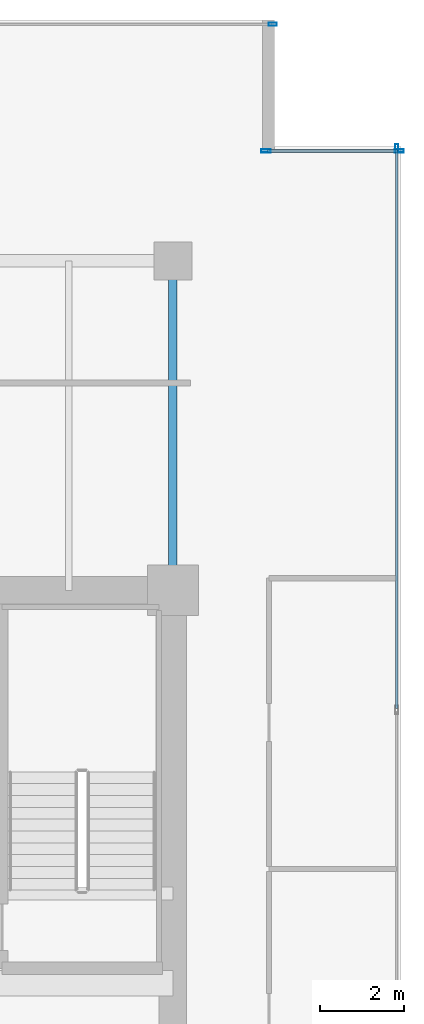
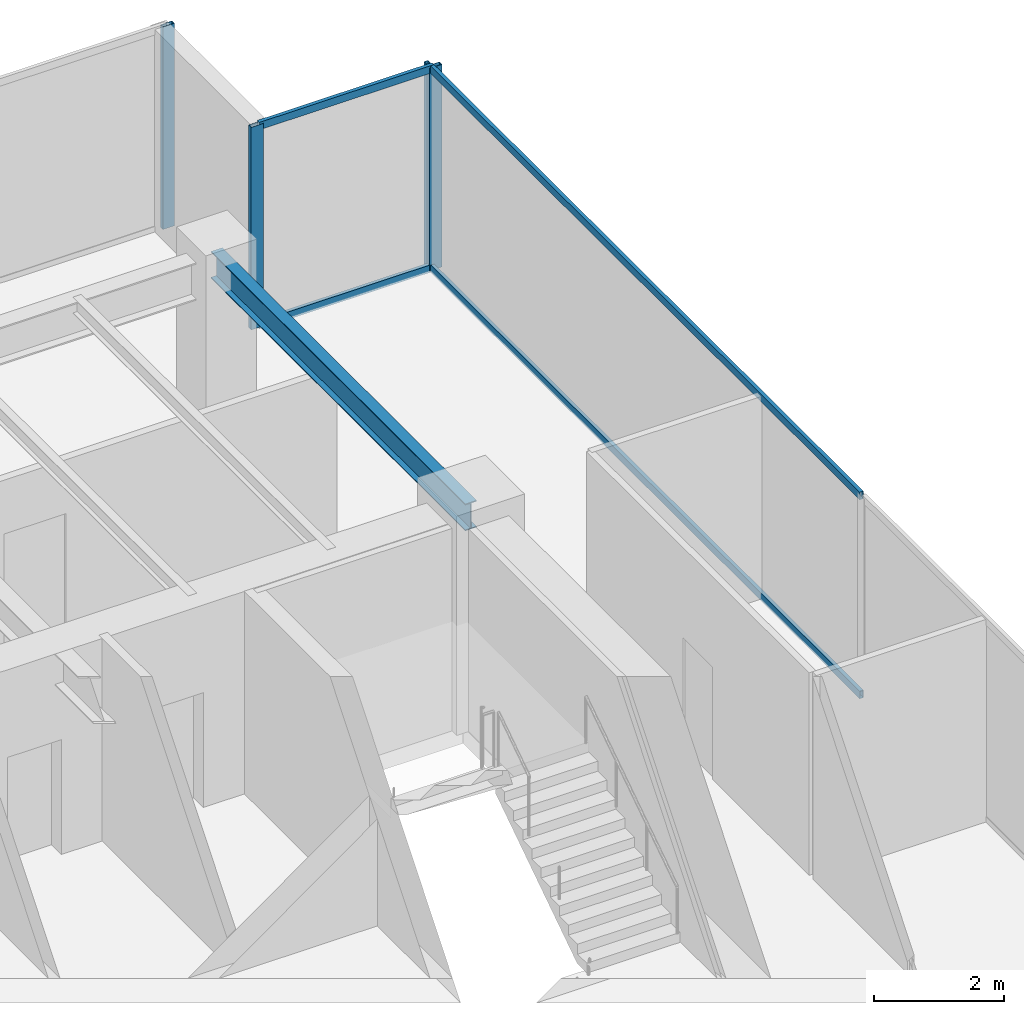
# One storey, part 23 of 30: 8 members, 1 beam, 3 elements without a shape of their own.
"""IFC4 building model written with IfcOpenShell, lengths in metres."""

from ifc_helpers import new_model, si_unit, direction, frame, origin, origin_2d, place, context, subcontext, project, spatial, hollow_rectangle, i_section, extrude, source, transform, mapped, material, layer, layer_set, material_profile, profile_set, type_object, type_shapes, element, aggregate, save


model = new_model("IFC4")

# Units and contexts
model_context = context("Model", 3, precision=1e-05, world=origin(), true_north=direction((0.0, 1.0)))
body_context = subcontext(model_context, "Body", "Model", "MODEL_VIEW")
ifc_project = project(units=[si_unit("LENGTHUNIT", "METRE"), si_unit("AREAUNIT", "SQUARE_METRE"), si_unit("VOLUMEUNIT", "CUBIC_METRE"), si_unit("PLANEANGLEUNIT", "RADIAN"), si_unit("MASSUNIT", "GRAM", prefix="KILO")], contexts=[model_context])

# Site, building, storey
site_placement = place(None, origin())
site = spatial("IfcSite", under=ifc_project, at=site_placement, CompositionType="ELEMENT")
building_placement = place(site_placement, origin())
building = spatial("IfcBuilding", under=site, at=building_placement, Name="Haelvirn Gate Laboratories", CompositionType="ELEMENT")
storey_placement = place(building_placement, frame((0.0, 0.0, 170.699951171875)))
storey = spatial("IfcBuildingStorey", under=building, at=storey_placement, Name="L41", CompositionType="ELEMENT", Elevation=170.699951171875)

# Beam
ifc_material_1 = material(Name="Steel SM355", Category="steel")
ifc_material_profile_1 = material_profile(ifc_material_1, i_section(OverallWidth=0.199951171875, OverallDepth=0.5, WebThickness=0.010009765625, FlangeThickness=0.01611328125, at=origin_2d()), Name="H-500x200x10x16")
ifc_profile_set_1 = profile_set([ifc_material_profile_1], Name="Steel SM355")
beam_type = type_object("IfcBeamType", Name="BM-SP-500", PredefinedType="SPANDREL", material=ifc_profile_set_1)
shared_shape_1 = source(origin(), body_context, "Body", "SweptSolid", [
    extrude(i_section(OverallWidth=0.199951171875, OverallDepth=0.5, WebThickness=0.010009765625, FlangeThickness=0.01611328125, at=origin_2d()), origin(), (0.0, 0.0, 1.0), 7.800048828125),
])
type_shapes(beam_type, [shared_shape_1])
beam_placement = place(storey_placement, frame((67.39990234375, 33.800048828125, 3.5400390625), z_axis=(0.0, 1.0, 0.0), x_axis=(-1.0, 0.0, 0.0)))
element("IfcBeam", 1, at=beam_placement, inside=storey, type_object=beam_type, Name="L41 Perimeter Spandrel X67.4 (33.8-41.6)", PredefinedType="SPANDREL", context=body_context, shape_type="MappedRepresentation", body=[
    mapped(shared_shape_1, transform((0.0, 0.0, 0.0), scale=1.0)),
])

# Curtain wall, members
ifc_material_2 = material(Name="Anodised bronze unitised aluminium & triple low-E glass", Category="aluminium")
ifc_layer_1 = layer(ifc_material_2, 0.181884765625, Name="CW-SYS-5")
ifc_layer_set_1 = layer_set([ifc_layer_1], Name="Anodised bronze unitised aluminium & triple low-E glass")
curtain_wall_type_1 = type_object("IfcCurtainWallType", Name="CW-SYS-5", PredefinedType="NOTDEFINED", material=ifc_layer_set_1)
curtain_wall_1_placement = place(storey_placement, origin())
curtain_wall_1 = element("IfcCurtainWall", 2, at=curtain_wall_1_placement, inside=storey, type_object=curtain_wall_type_1, Name="L41 Unitised Curtain Wall CW-L41-P0-E08-1", PredefinedType="NOTDEFINED")
ifc_material_3 = material(Name="Extruded aluminium 6063-T6 (anodised bronze)", Category="aluminium")
ifc_material_profile_2 = material_profile(ifc_material_3, hollow_rectangle(XDim=0.06494140625, YDim=0.139892578125, WallThickness=0.00390625, at=origin_2d()), Name="CWT-140x65x4")
ifc_profile_set_2 = profile_set([ifc_material_profile_2], Name="Extruded aluminium 6063-T6 (anodised bronze)")
member_type_1 = type_object("IfcMemberType", Name="CWT-T140", PredefinedType="USERDEFINED", material=ifc_profile_set_2)
shared_shape_2 = source(origin(), body_context, "Body", "SweptSolid", [
    extrude(hollow_rectangle(XDim=0.06494140625, YDim=0.139892578125, WallThickness=0.00390625, at=origin_2d()), origin(), (0.0, 0.0, 1.0), 3.080078125),
])
member_1_placement = place(storey_placement, frame((69.639892578125, 44.199951171875, 0.032470703125), z_axis=(1.0, 0.0, 0.0), x_axis=(0.0, 1.0, 0.0)))
member_1 = element("IfcMember", 3, at=member_1_placement, type_object=member_type_1, Name="CW5 transom 1.1", ObjectType="TRANSOM", PredefinedType="USERDEFINED", context=body_context, shape_type="MappedRepresentation", body=[
    mapped(shared_shape_2, transform((0.0, 0.0, 0.0), scale=1.0)),
])
member_2_placement = place(storey_placement, frame((69.639892578125, 44.199951171875, 3.757568359375), z_axis=(1.0, 0.0, 0.0), x_axis=(0.0, 1.0, 0.0)))
member_2 = element("IfcMember", 4, at=member_2_placement, type_object=member_type_1, Name="CW5 transom 1.2", ObjectType="TRANSOM", PredefinedType="USERDEFINED", context=body_context, shape_type="MappedRepresentation", body=[
    mapped(shared_shape_2, transform((0.0, 0.0, 0.0), scale=1.0)),
])

ifc_layer_2 = layer(ifc_material_2, 0.179931640625, Name="CW-SYS-3")
ifc_layer_set_2 = layer_set([ifc_layer_2], Name="Anodised bronze unitised aluminium & triple low-E glass")
curtain_wall_type_2 = type_object("IfcCurtainWallType", Name="CW-SYS-3", PredefinedType="NOTDEFINED", material=ifc_layer_set_2)
curtain_wall_2_placement = place(storey_placement, origin())
curtain_wall_2 = element("IfcCurtainWall", 5, at=curtain_wall_2_placement, inside=storey, type_object=curtain_wall_type_2, Name="L41 Unitised Curtain Wall CW-L41-P0-E07", PredefinedType="NOTDEFINED")
shared_shape_3 = source(origin(), body_context, "Body", "SweptSolid", [
    extrude(hollow_rectangle(XDim=0.06494140625, YDim=0.139892578125, WallThickness=0.00390625, at=origin_2d()), origin(), (0.0, 0.0, 1.0), 13.220947265625),
])
type_shapes(member_type_1, [shared_shape_2, shared_shape_3])
member_3_placement = place(storey_placement, frame((72.699951171875, 31.004150390625, 0.032470703125), z_axis=(0.0, 1.0, 0.0), x_axis=(-1.0, 0.0, 0.0)))
member_3 = element("IfcMember", 6, at=member_3_placement, type_object=member_type_1, Name="CW3 transom 3.1", ObjectType="TRANSOM", PredefinedType="USERDEFINED", context=body_context, shape_type="MappedRepresentation", body=[
    mapped(shared_shape_3, transform((0.0, 0.0, 0.0), scale=1.0)),
])
member_4_placement = place(storey_placement, frame((72.699951171875, 31.004150390625, 3.757568359375), z_axis=(0.0, 1.0, 0.0), x_axis=(-1.0, 0.0, 0.0)))
member_4 = element("IfcMember", 7, at=member_4_placement, type_object=member_type_1, Name="CW3 transom 3.2", ObjectType="TRANSOM", PredefinedType="USERDEFINED", context=body_context, shape_type="MappedRepresentation", body=[
    mapped(shared_shape_3, transform((0.0, 0.0, 0.0), scale=1.0)),
])
ifc_material_profile_3 = material_profile(ifc_material_3, hollow_rectangle(XDim=0.074951171875, YDim=0.199951171875, WallThickness=0.0048828125, at=origin_2d()), Name="CWM-200x75x5")
ifc_profile_set_3 = profile_set([ifc_material_profile_3], Name="Extruded aluminium 6063-T6 (anodised bronze)")
member_type_2 = type_object("IfcMemberType", Name="CWM-T200", PredefinedType="MULLION", material=ifc_profile_set_3)
shared_shape_4 = source(origin(), body_context, "Body", "SweptSolid", [
    extrude(hollow_rectangle(XDim=0.074951171875, YDim=0.199951171875, WallThickness=0.0048828125, at=origin_2d()), origin(), (0.0, 0.0, 1.0), 3.7900390625),
])
type_shapes(member_type_2, [shared_shape_4])
member_5_placement = place(storey_placement, frame((72.699951171875, 44.262451171875, 0.0), z_axis=(0.0, 0.0, 1.0), x_axis=(-1.0, 0.0, 0.0)))
member_5 = element("IfcMember", 8, at=member_5_placement, type_object=member_type_2, Name="CW3 mullion 4", PredefinedType="MULLION", context=body_context, shape_type="MappedRepresentation", body=[
    mapped(shared_shape_4, transform((0.0, 0.0, 0.0), scale=1.0)),
])
aggregate(curtain_wall_2, [member_5, member_3, member_4])

# Curtain wall, member
curtain_wall_3_placement = place(storey_placement, origin())
curtain_wall_3 = element("IfcCurtainWall", 9, at=curtain_wall_3_placement, inside=storey, type_object=curtain_wall_type_2, Name="L41 Unitised Curtain Wall CW-L41-P0-E10-1", PredefinedType="NOTDEFINED")
member_6_placement = place(storey_placement, frame((69.762451171875, 47.199951171875, 0.0), z_axis=(0.0, 0.0, 1.0), x_axis=(0.0, 1.0, 0.0)))
member_6 = element("IfcMember", 10, at=member_6_placement, type_object=member_type_2, Name="CW3 mullion 3", PredefinedType="MULLION", context=body_context, shape_type="MappedRepresentation", body=[
    mapped(shared_shape_4, transform((0.0, 0.0, 0.0), scale=1.0)),
])
aggregate(curtain_wall_3, [member_6])

# Member
ifc_material_profile_4 = material_profile(ifc_material_3, hollow_rectangle(XDim=0.080078125, YDim=0.219970703125, WallThickness=0.006103515625, at=origin_2d()), Name="CWM-220x80x6")
ifc_profile_set_4 = profile_set([ifc_material_profile_4], Name="Extruded aluminium 6063-T6 (anodised bronze)")
member_type_3 = type_object("IfcMemberType", Name="CWM-T220", PredefinedType="MULLION", material=ifc_profile_set_4)
shared_shape_5 = source(origin(), body_context, "Body", "SweptSolid", [
    extrude(hollow_rectangle(XDim=0.080078125, YDim=0.219970703125, WallThickness=0.006103515625, at=origin_2d()), origin(), (0.0, 0.0, 1.0), 3.7900390625),
])
type_shapes(member_type_3, [shared_shape_5])
member_7_placement = place(storey_placement, frame((69.60009765625, 44.199951171875, 0.0), z_axis=(0.0, 0.0, 1.0), x_axis=(0.0, 1.0, 0.0)))
member_7 = element("IfcMember", 11, at=member_7_placement, type_object=member_type_3, Name="CW5 mullion 1", PredefinedType="MULLION", context=body_context, shape_type="MappedRepresentation", body=[
    mapped(shared_shape_5, transform((0.0, 0.0, 0.0), scale=1.0)),
])

member_8_placement = place(storey_placement, frame((72.760009765625, 44.199951171875, 0.0), z_axis=(0.0, 0.0, 1.0), x_axis=(0.0, 1.0, 0.0)))
member_8 = element("IfcMember", 12, at=member_8_placement, type_object=member_type_3, Name="CW5 mullion 2", PredefinedType="MULLION", context=body_context, shape_type="MappedRepresentation", body=[
    mapped(shared_shape_5, transform((0.0, 0.0, 0.0), scale=1.0)),
])

aggregate(curtain_wall_1, [member_7, member_8, member_1, member_2])

save(model, "model.ifc")
